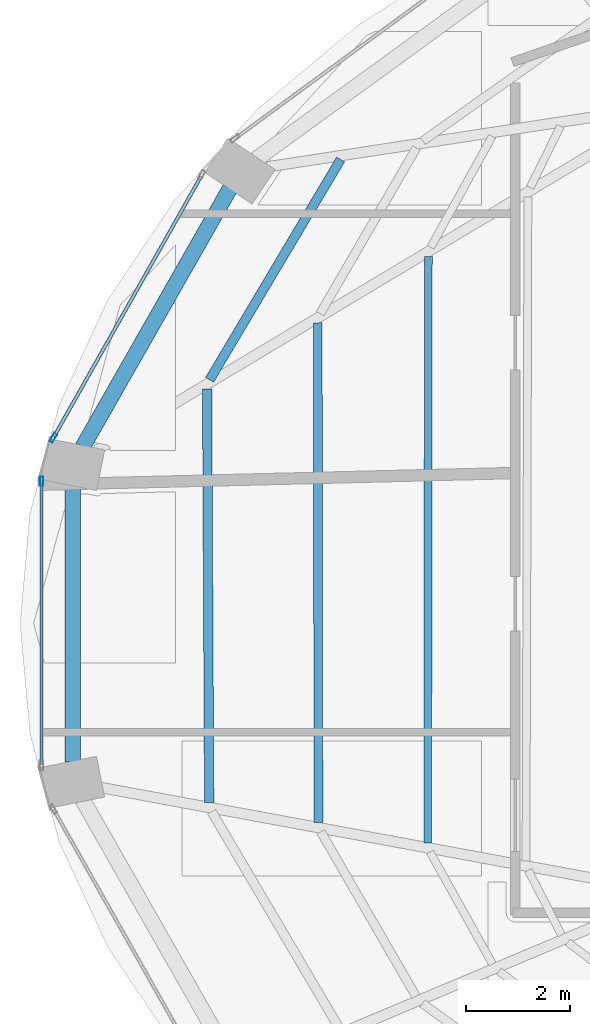
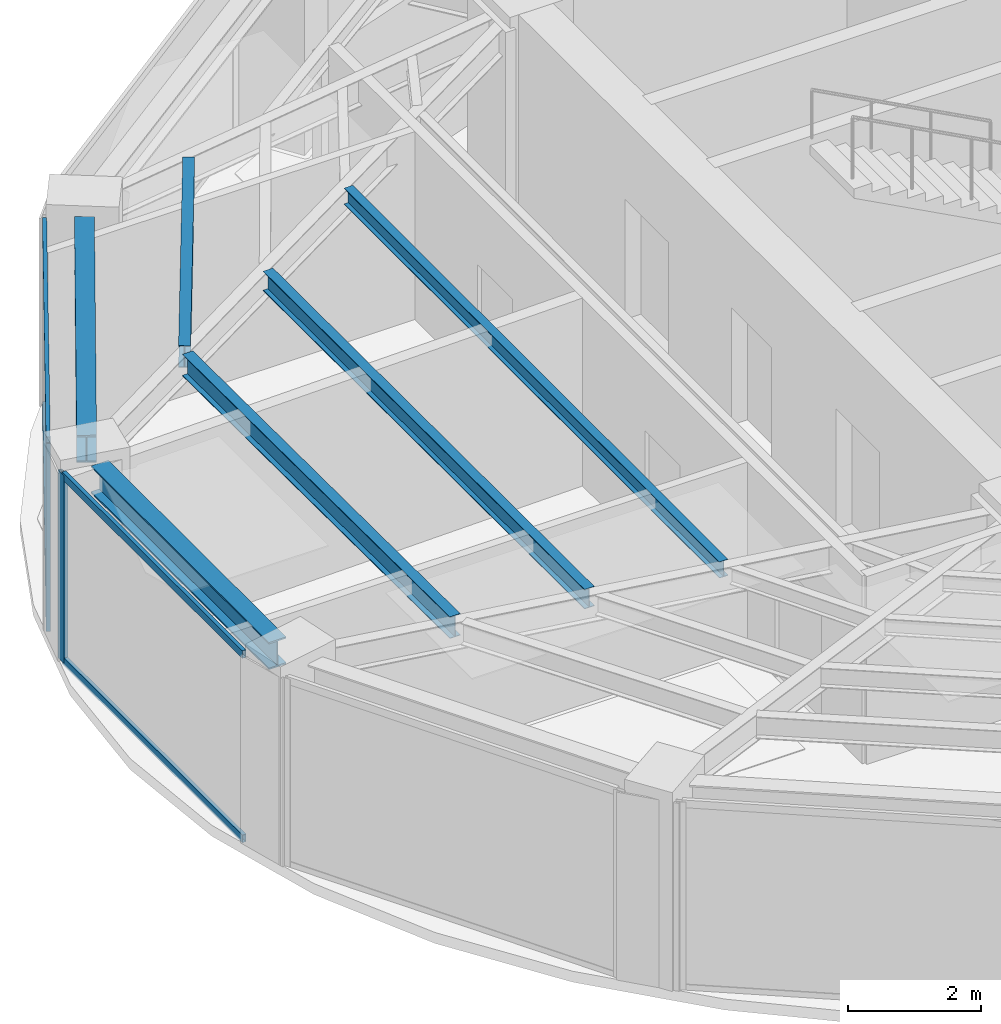
# One storey, part 8 of 22: 6 beams, 6 members, 2 elements without a shape of their own.
"""IFC4 building model written with IfcOpenShell, lengths in metres."""

from ifc_helpers import new_model, si_unit, direction, frame, origin, origin_2d, place, context, subcontext, project, spatial, hollow_rectangle, i_section, extrude, material, layer, layer_set, material_profile, profile_set, type_object, element, aggregate, save


model = new_model("IFC4")

# Units and contexts
model_context = context("Model", 3, precision=1e-05, world=origin(), true_north=direction((0.0, 1.0)))
body_context = subcontext(model_context, "Body", "Model", "MODEL_VIEW")
ifc_project = project(units=[si_unit("LENGTHUNIT", "METRE"), si_unit("AREAUNIT", "SQUARE_METRE"), si_unit("VOLUMEUNIT", "CUBIC_METRE"), si_unit("PLANEANGLEUNIT", "RADIAN"), si_unit("MASSUNIT", "GRAM", prefix="KILO")], contexts=[model_context])

# Site, building, storey
site_placement = place(None, origin())
site = spatial("IfcSite", under=ifc_project, at=site_placement, CompositionType="ELEMENT")
building_placement = place(site_placement, origin())
building = spatial("IfcBuilding", under=site, at=building_placement, Name="Lazwardi Medical Tower", CompositionType="ELEMENT")
storey_placement = place(building_placement, frame((0.0, 0.0, 227.6640625)))
storey = spatial("IfcBuildingStorey", under=building, at=storey_placement, Name="L59", CompositionType="ELEMENT", Elevation=227.6640625)

# Beams
ifc_material_1 = material(Name="Steel S355", Category="steel")
ifc_material_profile_1 = material_profile(ifc_material_1, i_section(OverallWidth=0.300048828125, OverallDepth=0.5, WebThickness=0.014404296875, FlangeThickness=0.028076171875, at=origin_2d()), Name="HEB 500")
ifc_profile_set_1 = profile_set([ifc_material_profile_1], Name="Steel S355")
beam_type_1 = type_object("IfcBeamType", Name="BM-RB-Z4", PredefinedType="BEAM", material=ifc_profile_set_1)
beam_1_placement = place(storey_placement, frame((17.84716796875, 33.983642578125, 3.197998046875), z_axis=(-0.495125273299, -0.868821594886, 0.0), x_axis=(0.868821594886, -0.495125273299, 0.0)))
element("IfcBeam", 1, at=beam_1_placement, inside=storey, type_object=beam_type_1, Name="Ring beam RB-05 B11 L59", PredefinedType="BEAM", context=body_context, shape_type="SweptSolid", body=[
    extrude(i_section(OverallWidth=0.300048828125, OverallDepth=0.5, WebThickness=0.014404296875, FlangeThickness=0.028076171875, at=origin_2d()), origin(), (0.0, 0.0, 1.0), 5.734130859375),
])
beam_2_placement = place(storey_placement, frame((14.81494140625, 28.27294921875, 3.197998046875), z_axis=(0.0, -1.0, 0.0), x_axis=(1.0, 0.0, 0.0)))
element("IfcBeam", 2, at=beam_2_placement, inside=storey, type_object=beam_type_1, Name="Ring beam RB-05 B12 L59", PredefinedType="BEAM", context=body_context, shape_type="SweptSolid", body=[
    extrude(i_section(OverallWidth=0.300048828125, OverallDepth=0.5, WebThickness=0.014404296875, FlangeThickness=0.028076171875, at=origin_2d()), origin(), (0.0, 0.0, 1.0), 5.345947265625),
])
ifc_material_profile_2 = material_profile(ifc_material_1, i_section(OverallWidth=0.179931640625, OverallDepth=0.39990234375, WebThickness=0.008544921875, FlangeThickness=0.013427734375, at=origin_2d()), Name="IPE 400")
ifc_profile_set_2 = profile_set([ifc_material_profile_2], Name="Steel S355")
beam_type_2 = type_object("IfcBeamType", Name="BM-SJ-01", PredefinedType="JOIST", material=ifc_profile_set_2)
beam_3_placement = place(storey_placement, frame((19.98095703125, 34.544921875, 3.248046875), z_axis=(-0.510967866251, -0.859599813668, 0.0), x_axis=(0.859599813668, -0.510967866251, 0.0)))
element("IfcBeam", 3, at=beam_3_placement, inside=storey, type_object=beam_type_2, Name="Secondary joist SJ-01 R1 B11 L59", PredefinedType="JOIST", context=body_context, shape_type="SweptSolid", body=[
    extrude(i_section(OverallWidth=0.179931640625, OverallDepth=0.39990234375, WebThickness=0.008544921875, FlangeThickness=0.013427734375, at=origin_2d()), origin(), (0.0, 0.0, 1.0), 4.94189453125),
])
beam_4_placement = place(storey_placement, frame((17.407958984375, 30.120361328125, 3.248046875), z_axis=(0.004929366644, -0.999987850598, 0.0), x_axis=(0.999987850598, 0.004929366644, 0.0)))
element("IfcBeam", 4, at=beam_4_placement, inside=storey, type_object=beam_type_2, Name="Secondary joist SJ-01 R1 B12 L59", PredefinedType="JOIST", context=body_context, shape_type="SweptSolid", body=[
    extrude(i_section(OverallWidth=0.179931640625, OverallDepth=0.39990234375, WebThickness=0.008544921875, FlangeThickness=0.013427734375, at=origin_2d()), origin(), (0.0, 0.0, 1.0), 7.973876953125),
])
ifc_material_profile_3 = material_profile(ifc_material_1, i_section(OverallWidth=0.169921875, OverallDepth=0.360107421875, WebThickness=0.008056640625, FlangeThickness=0.0126953125, at=origin_2d()), Name="IPE 360")
ifc_profile_set_3 = profile_set([ifc_material_profile_3], Name="Steel S355")
beam_type_3 = type_object("IfcBeamType", Name="BM-SJ-02", PredefinedType="JOIST", material=ifc_profile_set_3)
beam_5_placement = place(storey_placement, frame((19.541015625, 31.397705078125, 3.267822265625), z_axis=(0.001367606673, -0.999999064826, 0.0), x_axis=(0.999999064826, 0.001367606673, 0.0)))
element("IfcBeam", 5, at=beam_5_placement, inside=storey, type_object=beam_type_3, Name="Secondary joist SJ-02 R2 B12 L59", PredefinedType="JOIST", context=body_context, shape_type="SweptSolid", body=[
    extrude(i_section(OverallWidth=0.169921875, OverallDepth=0.360107421875, WebThickness=0.008056640625, FlangeThickness=0.0126953125, at=origin_2d()), origin(), (0.0, 0.0, 1.0), 9.639892578125),
])
ifc_material_profile_4 = material_profile(ifc_material_1, i_section(OverallWidth=0.14990234375, OverallDepth=0.300048828125, WebThickness=0.007080078125, FlangeThickness=0.0107421875, at=origin_2d()), Name="IPE 300")
ifc_profile_set_4 = profile_set([ifc_material_profile_4], Name="Steel S355")
beam_type_4 = type_object("IfcBeamType", Name="BM-SJ-03", PredefinedType="JOIST", material=ifc_profile_set_4)
beam_6_placement = place(storey_placement, frame((21.674072265625, 32.67529296875, 3.2978515625), z_axis=(-0.001166079235, -0.999999320129, 0.0), x_axis=(0.999999320129, -0.001166079235, 0.0)))
element("IfcBeam", 6, at=beam_6_placement, inside=storey, type_object=beam_type_4, Name="Secondary joist SJ-03 R3 B12 L59", PredefinedType="JOIST", context=body_context, shape_type="SweptSolid", body=[
    extrude(i_section(OverallWidth=0.14990234375, OverallDepth=0.300048828125, WebThickness=0.007080078125, FlangeThickness=0.0107421875, at=origin_2d()), origin(), (0.0, 0.0, 1.0), 11.305908203125),
])

# Curtain wall, member
ifc_material_2 = material(Name="Anodised bronze aluminium and solar control glazing", Category="aluminium")
ifc_layer = layer(ifc_material_2, 0.18994140625)
ifc_layer_set = layer_set([ifc_layer], Name="Anodised bronze aluminium and solar control glazing")
curtain_wall_type = type_object("IfcCurtainWallType", Name="CW-SYS-04", PredefinedType="NOTDEFINED", material=ifc_layer_set)
curtain_wall_1_placement = place(storey_placement, origin())
curtain_wall_1 = element("IfcCurtainWall", 7, at=curtain_wall_1_placement, inside=storey, type_object=curtain_wall_type, Name="L59 Unitised bronze curtain wall CW-04", PredefinedType="NOTDEFINED")
ifc_material_3 = material(Name="Anodised bronze aluminium", Category="aluminium")
ifc_material_profile_5 = material_profile(ifc_material_3, hollow_rectangle(XDim=0.06494140625, YDim=0.179931640625, WallThickness=0.00390625, at=origin_2d()), Name="ALU-MULLION 180x65x4")
ifc_profile_set_5 = profile_set([ifc_material_profile_5], Name="Anodised bronze aluminium")
member_type_1 = type_object("IfcMemberType", Name="CW-MUL-03", PredefinedType="MULLION", material=ifc_profile_set_5)
member_1_placement = place(storey_placement, frame((14.442626953125, 29.17822265625, 0.0), z_axis=(0.0, 0.0, 1.0), x_axis=(0.870651436011, -0.491900474661, 0.0)))
member_1 = element("IfcMember", 8, at=member_1_placement, type_object=member_type_1, Name="CW-04 mullion 2", PredefinedType="MULLION", context=body_context, shape_type="SweptSolid", body=[
    extrude(hollow_rectangle(XDim=0.06494140625, YDim=0.179931640625, WallThickness=0.00390625, at=origin_2d()), origin(), (0.0, 0.0, 1.0), 3.447998046875),
])

curtain_wall_2_placement = place(storey_placement, origin())
curtain_wall_2 = element("IfcCurtainWall", 9, at=curtain_wall_2_placement, inside=storey, type_object=curtain_wall_type, Name="L59 Unitised bronze curtain wall CW-04", PredefinedType="NOTDEFINED")
member_2_placement = place(storey_placement, frame((14.2158203125, 28.340576171875, 0.0), z_axis=(0.0, 0.0, 1.0), x_axis=(1.0, 0.0, 0.0)))
member_2 = element("IfcMember", 10, at=member_2_placement, type_object=member_type_1, Name="CW-04 mullion 1", PredefinedType="MULLION", context=body_context, shape_type="SweptSolid", body=[
    extrude(hollow_rectangle(XDim=0.06494140625, YDim=0.179931640625, WallThickness=0.00390625, at=origin_2d()), origin(), (0.0, 0.0, 1.0), 3.447998046875),
])

# Member
ifc_material_profile_6 = material_profile(ifc_material_3, hollow_rectangle(XDim=0.06494140625, YDim=0.139892578125, WallThickness=0.00341796875, at=origin_2d()), Name="ALU-TRANSOM 140x65x3.5")
ifc_profile_set_6 = profile_set([ifc_material_profile_6], Name="Anodised bronze aluminium")
member_type_2 = type_object("IfcMemberType", Name="CW-TRN-03", PredefinedType="USERDEFINED", material=ifc_profile_set_6)
member_3_placement = place(storey_placement, frame((17.28955078125, 34.21728515625, 0.032470703125), z_axis=(-0.491879719484, -0.87066316194, 0.0), x_axis=(0.87066316194, -0.491879719484, 0.0)))
member_3 = element("IfcMember", 11, at=member_3_placement, type_object=member_type_2, Name="CW-04 transom 1.1", ObjectType="TRANSOM", PredefinedType="USERDEFINED", context=body_context, shape_type="SweptSolid", body=[
    extrude(hollow_rectangle(XDim=0.06494140625, YDim=0.139892578125, WallThickness=0.00341796875, at=origin_2d()), origin(), (0.0, 0.0, 1.0), 5.755126953125),
])

member_4_placement = place(storey_placement, frame((17.28955078125, 34.21728515625, 3.41552734375), z_axis=(-0.491879719484, -0.87066316194, 0.0), x_axis=(0.87066316194, -0.491879719484, 0.0)))
member_4 = element("IfcMember", 12, at=member_4_placement, type_object=member_type_2, Name="CW-04 transom 1.2", ObjectType="TRANSOM", PredefinedType="USERDEFINED", context=body_context, shape_type="SweptSolid", body=[
    extrude(hollow_rectangle(XDim=0.06494140625, YDim=0.139892578125, WallThickness=0.00341796875, at=origin_2d()), origin(), (0.0, 0.0, 1.0), 5.755126953125),
])

aggregate(curtain_wall_1, [member_1, member_3, member_4])

member_5_placement = place(storey_placement, frame((14.2158203125, 28.30810546875, 0.032470703125), z_axis=(0.0, -1.0, 0.0), x_axis=(1.0, 0.0, 0.0)))
member_5 = element("IfcMember", 13, at=member_5_placement, type_object=member_type_2, Name="CW-04 transom 1.1", ObjectType="TRANSOM", PredefinedType="USERDEFINED", context=body_context, shape_type="SweptSolid", body=[
    extrude(hollow_rectangle(XDim=0.06494140625, YDim=0.139892578125, WallThickness=0.00341796875, at=origin_2d()), origin(), (0.0, 0.0, 1.0), 5.416015625),
])

member_6_placement = place(storey_placement, frame((14.2158203125, 28.30810546875, 3.41552734375), z_axis=(0.0, -1.0, 0.0), x_axis=(1.0, 0.0, 0.0)))
member_6 = element("IfcMember", 14, at=member_6_placement, type_object=member_type_2, Name="CW-04 transom 1.2", ObjectType="TRANSOM", PredefinedType="USERDEFINED", context=body_context, shape_type="SweptSolid", body=[
    extrude(hollow_rectangle(XDim=0.06494140625, YDim=0.139892578125, WallThickness=0.00341796875, at=origin_2d()), origin(), (0.0, 0.0, 1.0), 5.416015625),
])

aggregate(curtain_wall_2, [member_2, member_5, member_6])

save(model, "model.ifc")
